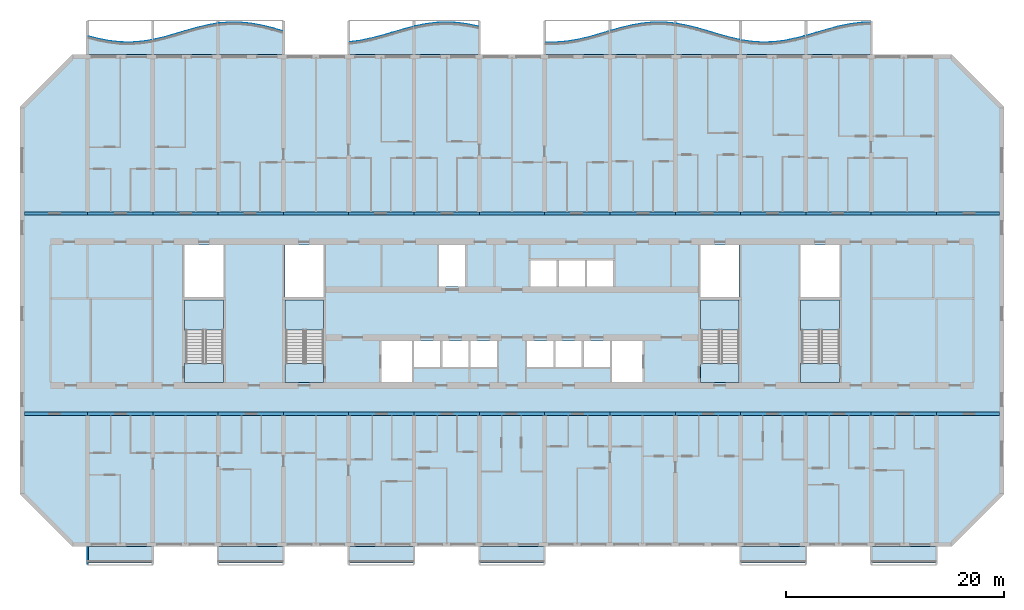
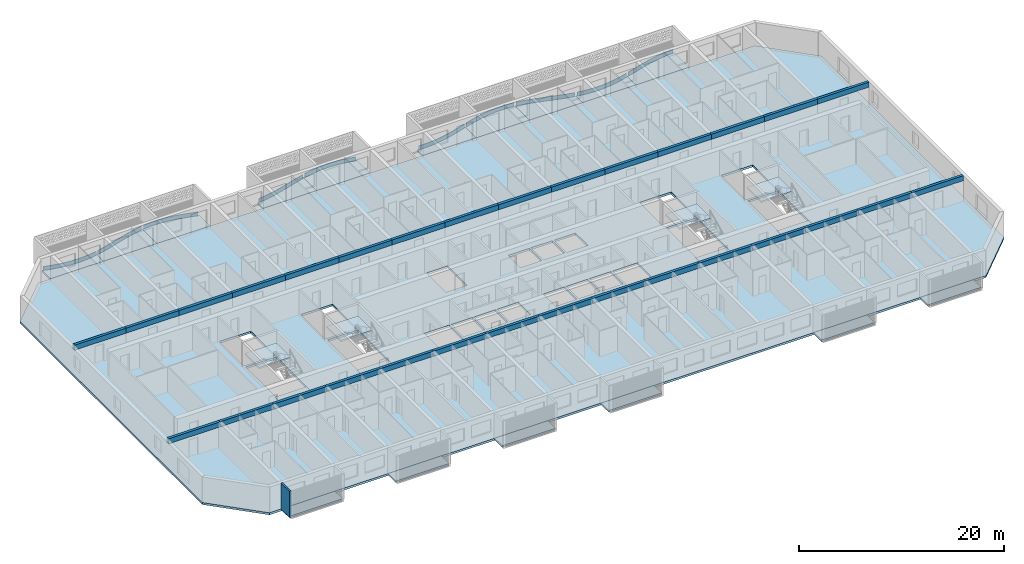
# One storey, part 1 of 39: 30 beams, 25 slabs, 10 plates, 1 wall, 4 elements without a shape of their own.
"""IFC4 building model written with IfcOpenShell, lengths in metres."""

from ifc_helpers import new_model, si_unit, direction, frame, origin, origin_2d, place, context, subcontext, project, spatial, polyline, rectangle, outline, extrude, source, transform, mapped, material, layer, layer_set, material_profile, profile_set, type_object, element, aggregate, save


model = new_model("IFC4")

# Units and contexts
model_context = context("Model", 3, precision=1e-05, world=origin(), true_north=direction((0.0, 1.0)))
body_context = subcontext(model_context, "Body", "Model", "MODEL_VIEW")
ifc_project = project(units=[si_unit("LENGTHUNIT", "METRE"), si_unit("AREAUNIT", "SQUARE_METRE"), si_unit("VOLUMEUNIT", "CUBIC_METRE"), si_unit("PLANEANGLEUNIT", "RADIAN"), si_unit("MASSUNIT", "GRAM", prefix="KILO")], contexts=[model_context])

# Site, building, storey
site_placement = place(None, origin())
site = spatial("IfcSite", under=ifc_project, at=site_placement, CompositionType="ELEMENT")
building_placement = place(site_placement, origin())
building = spatial("IfcBuilding", under=site, at=building_placement, Name="Poui Terraces", CompositionType="ELEMENT")
storey_placement = place(building_placement, frame((0.0, 0.0, 56.39990234375)))
storey = spatial("IfcBuildingStorey", under=building, at=storey_placement, Name="L15", CompositionType="ELEMENT", Elevation=56.39990234375)

# Beams
ifc_material_1 = material(Name="Concrete 80 MPa", Category="concrete")
ifc_material_profile = material_profile(ifc_material_1, rectangle(XDim=0.300048828125, YDim=0.60009765625, at=origin_2d()), Name="RC 300x600")
ifc_profile_set = profile_set([ifc_material_profile], Name="Concrete 80 MPa")
beam_type = type_object("IfcBeamType", Name="COUPLING BEAM 300x600 80MPa", PredefinedType="BEAM", material=ifc_profile_set)
shared_shape_1 = source(origin(), body_context, "Body", "SweptSolid", [
    extrude(rectangle(XDim=0.300048828125, YDim=0.60009765625, at=origin_2d()), origin(), (0.0, 0.0, 1.0), 6.0),
])
for number, where, z_axis, x_axis, name in (
    (1, (12.0, 12.0, 2.75), (1.0, 0.0, 0.0), (0.0, 1.0, 0.0), "COUPLING BEAM LINE B BAY 2"),
    (2, (18.0, 12.0, 2.75), (1.0, 0.0, 0.0), (0.0, 1.0, 0.0), "COUPLING BEAM LINE B BAY 3"),
    (3, (24.0, 12.0, 2.75), (1.0, 0.0, 0.0), (0.0, 1.0, 0.0), "COUPLING BEAM LINE B BAY 4"),
    (4, (30.0, 12.0, 2.75), (1.0, 0.0, 0.0), (0.0, 1.0, 0.0), "COUPLING BEAM LINE B BAY 5"),
    (5, (36.0, 12.0, 2.75), (1.0, 0.0, 0.0), (0.0, 1.0, 0.0), "COUPLING BEAM LINE B BAY 6"),
    (6, (42.0, 12.0, 2.75), (1.0, 0.0, 0.0), (0.0, 1.0, 0.0), "COUPLING BEAM LINE B BAY 7"),
    (7, (48.0, 12.0, 2.75), (1.0, 0.0, 0.0), (0.0, 1.0, 0.0), "COUPLING BEAM LINE B BAY 8"),
    (8, (54.0, 12.0, 2.75), (1.0, 0.0, 0.0), (0.0, 1.0, 0.0), "COUPLING BEAM LINE B BAY 9"),
    (9, (60.0, 12.0, 2.75), (1.0, 0.0, 0.0), (0.0, 1.0, 0.0), "COUPLING BEAM LINE B BAY 10"),
    (10, (66.0, 12.0, 2.75), (1.0, 0.0, 0.0), (0.0, 1.0, 0.0), "COUPLING BEAM LINE B BAY 11"),
    (11, (72.0, 12.0, 2.75), (1.0, 0.0, 0.0), (0.0, 1.0, 0.0), "COUPLING BEAM LINE B BAY 12"),
    (12, (78.0, 12.0, 2.75), (1.0, 0.0, 0.0), (0.0, 1.0, 0.0), "COUPLING BEAM LINE B BAY 13"),
    (13, (84.0, 12.0, 2.75), (1.0, 0.0, 0.0), (0.0, 1.0, 0.0), "COUPLING BEAM LINE B BAY 14"),
    (14, (12.0, 30.39990234375, 2.75), (1.0, 0.0, 0.0), (0.0, 1.0, 0.0), "COUPLING BEAM LINE E BAY 2"),
    (15, (18.0, 30.39990234375, 2.75), (1.0, 0.0, 0.0), (0.0, 1.0, 0.0), "COUPLING BEAM LINE E BAY 3"),
    (16, (24.0, 30.39990234375, 2.75), (1.0, 0.0, 0.0), (0.0, 1.0, 0.0), "COUPLING BEAM LINE E BAY 4"),
    (17, (30.0, 30.39990234375, 2.75), (1.0, 0.0, 0.0), (0.0, 1.0, 0.0), "COUPLING BEAM LINE E BAY 5"),
    (18, (36.0, 30.39990234375, 2.75), (1.0, 0.0, 0.0), (0.0, 1.0, 0.0), "COUPLING BEAM LINE E BAY 6"),
    (19, (42.0, 30.39990234375, 2.75), (1.0, 0.0, 0.0), (0.0, 1.0, 0.0), "COUPLING BEAM LINE E BAY 7"),
    (20, (48.0, 30.39990234375, 2.75), (1.0, 0.0, 0.0), (0.0, 1.0, 0.0), "COUPLING BEAM LINE E BAY 8"),
    (21, (54.0, 30.39990234375, 2.75), (1.0, 0.0, 0.0), (0.0, 1.0, 0.0), "COUPLING BEAM LINE E BAY 9"),
    (22, (60.0, 30.39990234375, 2.75), (1.0, 0.0, 0.0), (0.0, 1.0, 0.0), "COUPLING BEAM LINE E BAY 10"),
    (23, (66.0, 30.39990234375, 2.75), (1.0, 0.0, 0.0), (0.0, 1.0, 0.0), "COUPLING BEAM LINE E BAY 11"),
    (24, (72.0, 30.39990234375, 2.75), (1.0, 0.0, 0.0), (0.0, 1.0, 0.0), "COUPLING BEAM LINE E BAY 12"),
    (25, (78.0, 30.39990234375, 2.75), (1.0, 0.0, 0.0), (0.0, 1.0, 0.0), "COUPLING BEAM LINE E BAY 13"),
    (26, (84.0, 30.39990234375, 2.75), (1.0, 0.0, 0.0), (0.0, 1.0, 0.0), "COUPLING BEAM LINE E BAY 14"),
):
    element("IfcBeam", number, at=place(storey_placement, frame(where, z_axis=z_axis, x_axis=x_axis)), inside=storey, type_object=beam_type, Name=name, PredefinedType="BEAM", context=body_context, shape_type="MappedRepresentation", body=[
        mapped(shared_shape_1, transform((0.0, 0.0, 0.0))),
    ])
shared_shape_2 = source(origin(), body_context, "Body", "SweptSolid", [
    extrude(rectangle(XDim=0.300048828125, YDim=0.60009765625, at=origin_2d()), origin(), (0.0, 0.0, 1.0), 5.800048828125),
])
for number, where, z_axis, x_axis, name in (
    (27, (6.199951171875, 12.0, 2.75), (1.0, 0.0, 0.0), (0.0, 1.0, 0.0), "COUPLING BEAM LINE B BAY 1"),
    (28, (90.0, 12.0, 2.75), (1.0, 0.0, 0.0), (0.0, 1.0, 0.0), "COUPLING BEAM LINE B BAY 15"),
    (29, (6.199951171875, 30.39990234375, 2.75), (1.0, 0.0, 0.0), (0.0, 1.0, 0.0), "COUPLING BEAM LINE E BAY 1"),
    (30, (90.0, 30.39990234375, 2.75), (1.0, 0.0, 0.0), (0.0, 1.0, 0.0), "COUPLING BEAM LINE E BAY 15"),
):
    element("IfcBeam", number, at=place(storey_placement, frame(where, z_axis=z_axis, x_axis=x_axis)), inside=storey, type_object=beam_type, Name=name, PredefinedType="BEAM", context=body_context, shape_type="MappedRepresentation", body=[
        mapped(shared_shape_2, transform((0.0, 0.0, 0.0))),
    ])

# Slabs
ifc_material_2 = material(Name="Precast concrete 40 MPa", Category="concrete")
ifc_layer_1 = layer(ifc_material_2, 0.199951171875)
ifc_layer_set_1 = layer_set([ifc_layer_1], Name="Precast concrete 40 MPa")
slab_type_1 = type_object("IfcSlabType", Name="BALCONY SLAB 200", PredefinedType="FLOOR", material=ifc_layer_set_1)
slab_1_placement = place(storey_placement, frame((0.0, 0.0, -0.199951171875)))
element("IfcSlab", 31, at=slab_1_placement, inside=storey, type_object=slab_type_1, Name="BALCONY SLAB", PredefinedType="FLOOR", context=body_context, shape_type="SweptSolid", body=[
    extrude(outline(polyline([(12.0, 45.0), (18.0, 45.0), (18.0, 46.3408203125), (17.0, 46.178955078125), (16.0, 46.10400390625), (15.0, 46.1240234375), (14.0, 46.236572265625), (13.0, 46.430419921875), (12.0, 46.685302734375), (12.0, 45.0)])), origin(), (0.0, 0.0, 1.0), 0.199951171875),
])
slab_2_placement = place(storey_placement, frame((0.0, 0.0, -0.199951171875)))
element("IfcSlab", 32, at=slab_2_placement, inside=storey, type_object=slab_type_1, Name="BALCONY SLAB", PredefinedType="FLOOR", context=body_context, shape_type="SweptSolid", body=[
    extrude(outline(polyline([(18.0, 45.0), (24.0, 45.0), (24.0, 47.849609375), (23.0, 47.6748046875), (22.0, 47.4326171875), (21.0, 47.148681640625), (20.0, 46.852294921875), (19.0, 46.5732421875), (18.0, 46.3408203125), (18.0, 45.0)])), origin(), (0.0, 0.0, 1.0), 0.199951171875),
])
slab_3_placement = place(storey_placement, frame((0.0, 0.0, -0.199951171875)))
element("IfcSlab", 33, at=slab_3_placement, inside=storey, type_object=slab_type_1, Name="BALCONY SLAB", PredefinedType="FLOOR", context=body_context, shape_type="SweptSolid", body=[
    extrude(outline(polyline([(24.0, 45.0), (30.0, 45.0), (30.0, 47.124267578125), (29.0, 47.410400390625), (28.0, 47.65673828125), (27.0, 47.838134765625), (26.0, 47.935791015625), (25.0, 47.93994140625), (24.0, 47.849609375), (24.0, 45.0)])), origin(), (0.0, 0.0, 1.0), 0.199951171875),
])
slab_4_placement = place(storey_placement, frame((0.0, 0.0, -0.199951171875)))
element("IfcSlab", 34, at=slab_4_placement, inside=storey, type_object=slab_type_1, Name="BALCONY SLAB", PredefinedType="FLOOR", context=body_context, shape_type="SweptSolid", body=[
    extrude(outline(polyline([(36.0, 45.0), (42.0, 45.0), (42.0, 47.560546875), (41.0, 47.294189453125), (40.0, 47.000244140625), (39.0, 46.70849609375), (38.0, 46.44970703125), (37.0, 46.25), (36.0, 46.1298828125), (36.0, 45.0)])), origin(), (0.0, 0.0, 1.0), 0.199951171875),
])
slab_5_placement = place(storey_placement, frame((0.0, 0.0, -0.199951171875)))
element("IfcSlab", 35, at=slab_5_placement, inside=storey, type_object=slab_type_1, Name="BALCONY SLAB", PredefinedType="FLOOR", context=body_context, shape_type="SweptSolid", body=[
    extrude(outline(polyline([(42.0, 45.0), (48.0, 45.0), (48.0, 47.540283203125), (47.0, 47.757080078125), (46.0, 47.8984375), (45.0, 47.949951171875), (44.0, 47.90625), (43.0, 47.77197265625), (42.0, 47.560546875), (42.0, 45.0)])), origin(), (0.0, 0.0, 1.0), 0.199951171875),
])
slab_6_placement = place(storey_placement, frame((0.0, 0.0, -0.199951171875)))
element("IfcSlab", 36, at=slab_6_placement, inside=storey, type_object=slab_type_1, Name="BALCONY SLAB", PredefinedType="FLOOR", context=body_context, shape_type="SweptSolid", body=[
    extrude(outline(polyline([(54.0, 45.0), (60.0, 45.0), (60.0, 47.148681640625), (59.0, 46.852294921875), (58.0, 46.5732421875), (57.0, 46.3408203125), (56.0, 46.178955078125), (55.0, 46.10400390625), (54.0, 46.1240234375), (54.0, 45.0)])), origin(), (0.0, 0.0, 1.0), 0.199951171875),
])
slab_7_placement = place(storey_placement, frame((0.0, 0.0, -0.199951171875)))
element("IfcSlab", 37, at=slab_7_placement, inside=storey, type_object=slab_type_1, Name="BALCONY SLAB", PredefinedType="FLOOR", context=body_context, shape_type="SweptSolid", body=[
    extrude(outline(polyline([(60.0, 45.0), (66.0, 45.0), (66.0, 47.838134765625), (65.0, 47.935791015625), (64.0, 47.93994140625), (63.0, 47.849609375), (62.0, 47.6748046875), (61.0, 47.4326171875), (60.0, 47.148681640625), (60.0, 45.0)])), origin(), (0.0, 0.0, 1.0), 0.199951171875),
])
slab_8_placement = place(storey_placement, frame((0.0, 0.0, -0.199951171875)))
element("IfcSlab", 38, at=slab_8_placement, inside=storey, type_object=slab_type_1, Name="BALCONY SLAB", PredefinedType="FLOOR", context=body_context, shape_type="SweptSolid", body=[
    extrude(outline(polyline([(66.0, 45.0), (72.0, 45.0), (72.0, 46.324462890625), (71.0, 46.5517578125), (70.0, 46.827880859375), (69.0, 47.124267578125), (68.0, 47.410400390625), (67.0, 47.65673828125), (66.0, 47.838134765625), (66.0, 45.0)])), origin(), (0.0, 0.0, 1.0), 0.199951171875),
])
slab_9_placement = place(storey_placement, frame((0.0, 0.0, -0.199951171875)))
element("IfcSlab", 39, at=slab_9_placement, inside=storey, type_object=slab_type_1, Name="BALCONY SLAB", PredefinedType="FLOOR", context=body_context, shape_type="SweptSolid", body=[
    extrude(outline(polyline([(72.0, 45.0), (78.0, 45.0), (78.0, 46.70849609375), (77.0, 46.44970703125), (76.0, 46.25), (75.0, 46.1298828125), (74.0, 46.10205078125), (73.0, 46.169189453125), (72.0, 46.324462890625), (72.0, 45.0)])), origin(), (0.0, 0.0, 1.0), 0.199951171875),
])
slab_10_placement = place(storey_placement, frame((0.0, 0.0, -0.199951171875)))
element("IfcSlab", 40, at=slab_10_placement, inside=storey, type_object=slab_type_1, Name="BALCONY SLAB", PredefinedType="FLOOR", context=body_context, shape_type="SweptSolid", body=[
    extrude(outline(polyline([(78.0, 45.0), (84.0, 45.0), (84.0, 47.949951171875), (83.0, 47.90625), (82.0, 47.77197265625), (81.0, 47.560546875), (80.0, 47.294189453125), (79.0, 47.000244140625), (78.0, 46.70849609375), (78.0, 45.0)])), origin(), (0.0, 0.0, 1.0), 0.199951171875),
])

# Stair, slabs
stair_type = type_object("IfcStairType", Name="EXIT STAIR 1650 80 MPA", PredefinedType="HALF_TURN_STAIR", material=ifc_material_1)
stair_1_placement = place(storey_placement, origin())
stair_1 = element("IfcStair", 41, at=stair_1_placement, inside=storey, type_object=stair_type, Name="L15 CORE STAIR EAST", PredefinedType="HALF_TURN_STAIR")
ifc_layer_2 = layer(ifc_material_1, 0.199951171875)
ifc_layer_set_2 = layer_set([ifc_layer_2], Name="Concrete 80 MPa")
slab_type_2 = type_object("IfcSlabType", Name="STAIR LANDING 200 80 MPA", PredefinedType="LANDING", material=ifc_layer_set_2)
slab_11_placement = place(storey_placement, frame((0.0, 0.0, 1.449951171875)))
slab_11 = element("IfcSlab", 42, at=slab_11_placement, type_object=slab_type_2, Name="ST-CE landing 1", PredefinedType="LANDING", context=body_context, shape_type="SweptSolid", body=[
    extrude(outline(polyline([(68.324951171875, 19.679931640625), (71.875, 19.679931640625), (71.875, 22.47509765625), (68.324951171875, 22.47509765625), (68.324951171875, 19.679931640625)])), origin(), (0.0, 0.0, 1.0), 0.2001953125),
])
slab_12_placement = place(storey_placement, frame((0.0, 0.0, -0.199951171875)))
slab_12 = element("IfcSlab", 43, at=slab_12_placement, type_object=slab_type_2, Name="ST-CE landing 2", PredefinedType="LANDING", context=body_context, shape_type="SweptSolid", body=[
    extrude(outline(polyline([(68.324951171875, 14.89990234375), (71.875, 14.89990234375), (71.875, 16.60009765625), (68.324951171875, 16.60009765625), (68.324951171875, 14.89990234375)])), origin(), (0.0, 0.0, 1.0), 0.199951171875),
])
aggregate(stair_1, [slab_11, slab_12])

stair_2_placement = place(storey_placement, origin())
stair_2 = element("IfcStair", 44, at=stair_2_placement, inside=storey, type_object=stair_type, Name="L15 CORE STAIR WEST", PredefinedType="HALF_TURN_STAIR")
slab_13_placement = place(storey_placement, frame((0.0, 0.0, 1.449951171875)))
slab_13 = element("IfcSlab", 45, at=slab_13_placement, type_object=slab_type_2, Name="ST-CW landing 1", PredefinedType="LANDING", context=body_context, shape_type="SweptSolid", body=[
    extrude(outline(polyline([(30.125, 19.679931640625), (33.675048828125, 19.679931640625), (33.675048828125, 22.47509765625), (30.125, 22.47509765625), (30.125, 19.679931640625)])), origin(), (0.0, 0.0, 1.0), 0.2001953125),
])
slab_14_placement = place(storey_placement, frame((0.0, 0.0, -0.199951171875)))
slab_14 = element("IfcSlab", 46, at=slab_14_placement, type_object=slab_type_2, Name="ST-CW landing 2", PredefinedType="LANDING", context=body_context, shape_type="SweptSolid", body=[
    extrude(outline(polyline([(30.125, 14.89990234375), (33.675048828125, 14.89990234375), (33.675048828125, 16.60009765625), (30.125, 16.60009765625), (30.125, 14.89990234375)])), origin(), (0.0, 0.0, 1.0), 0.199951171875),
])
aggregate(stair_2, [slab_13, slab_14])

stair_3_placement = place(storey_placement, origin())
stair_3 = element("IfcStair", 47, at=stair_3_placement, inside=storey, type_object=stair_type, Name="L15 TIP STAIR EAST", PredefinedType="HALF_TURN_STAIR")
slab_15_placement = place(storey_placement, frame((0.0, 0.0, 1.449951171875)))
slab_15 = element("IfcSlab", 48, at=slab_15_placement, type_object=slab_type_2, Name="ST-E landing 1", PredefinedType="LANDING", context=body_context, shape_type="SweptSolid", body=[
    extrude(outline(polyline([(77.52490234375, 19.679931640625), (81.074951171875, 19.679931640625), (81.074951171875, 22.47509765625), (77.52490234375, 22.47509765625), (77.52490234375, 19.679931640625)])), origin(), (0.0, 0.0, 1.0), 0.2001953125),
])
slab_16_placement = place(storey_placement, frame((0.0, 0.0, -0.199951171875)))
slab_16 = element("IfcSlab", 49, at=slab_16_placement, type_object=slab_type_2, Name="ST-E landing 2", PredefinedType="LANDING", context=body_context, shape_type="SweptSolid", body=[
    extrude(outline(polyline([(77.52490234375, 14.89990234375), (81.074951171875, 14.89990234375), (81.074951171875, 16.60009765625), (77.52490234375, 16.60009765625), (77.52490234375, 14.89990234375)])), origin(), (0.0, 0.0, 1.0), 0.199951171875),
])
aggregate(stair_3, [slab_15, slab_16])

stair_4_placement = place(storey_placement, origin())
stair_4 = element("IfcStair", 50, at=stair_4_placement, inside=storey, type_object=stair_type, Name="L15 TIP STAIR WEST", PredefinedType="HALF_TURN_STAIR")
slab_17_placement = place(storey_placement, frame((0.0, 0.0, 1.449951171875)))
slab_17 = element("IfcSlab", 51, at=slab_17_placement, type_object=slab_type_2, Name="ST-W landing 1", PredefinedType="LANDING", context=body_context, shape_type="SweptSolid", body=[
    extrude(outline(polyline([(20.925048828125, 19.679931640625), (24.47509765625, 19.679931640625), (24.47509765625, 22.47509765625), (20.925048828125, 22.47509765625), (20.925048828125, 19.679931640625)])), origin(), (0.0, 0.0, 1.0), 0.2001953125),
])
slab_18_placement = place(storey_placement, frame((0.0, 0.0, -0.199951171875)))
slab_18 = element("IfcSlab", 52, at=slab_18_placement, type_object=slab_type_2, Name="ST-W landing 2", PredefinedType="LANDING", context=body_context, shape_type="SweptSolid", body=[
    extrude(outline(polyline([(20.925048828125, 14.89990234375), (24.47509765625, 14.89990234375), (24.47509765625, 16.60009765625), (20.925048828125, 16.60009765625), (20.925048828125, 14.89990234375)])), origin(), (0.0, 0.0, 1.0), 0.199951171875),
])
aggregate(stair_4, [slab_17, slab_18])

# Plates
ifc_layer_3 = layer(ifc_material_2, 0.080078125)
ifc_layer_set_3 = layer_set([ifc_layer_3], Name="Precast concrete 40 MPa")
plate_type = type_object("IfcPlateType", Name="SUNSHADE UPSTAND 80", PredefinedType="SHEET", material=ifc_layer_set_3)
plate_1_placement = place(storey_placement, origin())
element("IfcPlate", 53, at=plate_1_placement, inside=storey, type_object=plate_type, Name="SUNSHADE UPSTAND", PredefinedType="SHEET", context=body_context, shape_type="SweptSolid", body=[
    extrude(outline(polyline([(13.0087890625, 46.424560546875), (12.134765625, 46.644775390625), (12.115234375, 46.5673828125), (12.9912109375, 46.346435546875), (13.993896484375, 46.152099609375), (14.997314453125, 46.0390625), (16.001220703125, 46.01904296875), (17.004638671875, 46.09423828125), (17.881103515625, 46.23193359375), (17.868896484375, 46.310791015625), (16.995361328125, 46.173583984375), (15.998779296875, 46.09912109375), (15.002685546875, 46.118896484375), (14.006103515625, 46.231201171875), (13.0087890625, 46.424560546875)])), origin(), (0.0, 0.0, 1.0), 0.4501953125),
])
plate_2_placement = place(storey_placement, origin())
element("IfcPlate", 54, at=plate_2_placement, inside=storey, type_object=plate_type, Name="SUNSHADE UPSTAND", PredefinedType="SHEET", context=body_context, shape_type="SweptSolid", body=[
    extrude(outline(polyline([(18.989990234375, 46.56689453125), (18.11572265625, 46.360595703125), (18.13427734375, 46.28271484375), (19.010009765625, 46.489501953125), (20.010986328125, 46.768798828125), (21.01123046875, 47.0654296875), (22.01025390625, 47.34912109375), (23.00830078125, 47.590576171875), (23.882080078125, 47.747802734375), (23.867919921875, 47.82666015625), (22.99169921875, 47.668701171875), (21.98974609375, 47.426513671875), (20.98876953125, 47.14208984375), (19.989013671875, 46.845703125), (18.989990234375, 46.56689453125)])), origin(), (0.0, 0.0, 1.0), 0.4501953125),
])
plate_3_placement = place(storey_placement, origin())
element("IfcPlate", 55, at=plate_3_placement, inside=storey, type_object=plate_type, Name="SUNSHADE UPSTAND", PredefinedType="SHEET", context=body_context, shape_type="SweptSolid", body=[
    extrude(outline(polyline([(24.998291015625, 47.934814453125), (24.13671875, 47.862060546875), (24.12158203125, 47.860595703125), (24.12841796875, 47.781005859375), (25.001708984375, 47.85498046875), (25.998046875, 47.85107421875), (26.994384765625, 47.753662109375), (27.99169921875, 47.572509765625), (28.98974609375, 47.32666015625), (29.864013671875, 47.07763671875), (29.885986328125, 47.154541015625), (29.01025390625, 47.404052734375), (28.00830078125, 47.65087890625), (27.005615234375, 47.8330078125), (26.001953125, 47.930908203125), (24.998291015625, 47.934814453125)])), origin(), (0.0, 0.0, 1.0), 0.4501953125),
])
plate_4_placement = place(storey_placement, origin())
element("IfcPlate", 56, at=plate_4_placement, inside=storey, type_object=plate_type, Name="SUNSHADE UPSTAND", PredefinedType="SHEET", context=body_context, shape_type="SweptSolid", body=[
    extrude(outline(polyline([(36.99365234375, 46.244384765625), (36.1201171875, 46.134765625), (36.1298828125, 46.055419921875), (37.00634765625, 46.165283203125), (38.0087890625, 46.36572265625), (39.010498046875, 46.625), (40.01123046875, 46.916748046875), (41.0107421875, 47.210693359375), (41.885498046875, 47.4462890625), (41.864501953125, 47.5234375), (40.9892578125, 47.287841796875), (39.98876953125, 46.99365234375), (38.989501953125, 46.7021484375), (37.9912109375, 46.443603515625), (36.99365234375, 46.244384765625)])), origin(), (0.0, 0.0, 1.0), 0.4501953125),
])
plate_5_placement = place(storey_placement, origin())
element("IfcPlate", 57, at=plate_5_placement, inside=storey, type_object=plate_type, Name="SUNSHADE UPSTAND", PredefinedType="SHEET", context=body_context, shape_type="SweptSolid", body=[
    extrude(outline(polyline([(42.993408203125, 47.766357421875), (42.116943359375, 47.584716796875), (42.133056640625, 47.50634765625), (43.006591796875, 47.6875), (44.00341796875, 47.8212890625), (44.999755859375, 47.864990234375), (45.99609375, 47.8134765625), (46.992919921875, 47.672607421875), (47.86669921875, 47.486572265625), (47.88330078125, 47.564697265625), (47.007080078125, 47.75146484375), (46.00390625, 47.893310546875), (45.000244140625, 47.945068359375), (43.99658203125, 47.901123046875), (42.993408203125, 47.766357421875)])), origin(), (0.0, 0.0, 1.0), 0.4501953125),
])
plate_6_placement = place(storey_placement, origin())
element("IfcPlate", 58, at=plate_6_placement, inside=storey, type_object=plate_type, Name="SUNSHADE UPSTAND", PredefinedType="SHEET", context=body_context, shape_type="SweptSolid", body=[
    extrude(outline(polyline([(54.998779296875, 46.09912109375), (54.12548828125, 46.111328125), (54.12451171875, 46.03125), (55.001220703125, 46.01904296875), (56.004638671875, 46.09423828125), (57.0078125, 46.256591796875), (58.010009765625, 46.489501953125), (59.010986328125, 46.768798828125), (59.886474609375, 47.028564453125), (59.863525390625, 47.105224609375), (58.989013671875, 46.845703125), (57.989990234375, 46.567138671875), (56.9921875, 46.335205078125), (55.995361328125, 46.173583984375), (54.998779296875, 46.09912109375)])), origin(), (0.0, 0.0, 1.0), 0.4501953125),
])
plate_7_placement = place(storey_placement, origin())
element("IfcPlate", 59, at=plate_7_placement, inside=storey, type_object=plate_type, Name="SUNSHADE UPSTAND", PredefinedType="SHEET", context=body_context, shape_type="SweptSolid", body=[
    extrude(outline(polyline([(60.989990234375, 47.426513671875), (60.114013671875, 47.17919921875), (60.135986328125, 47.10205078125), (61.010009765625, 47.34912109375), (62.00830078125, 47.590576171875), (63.00537109375, 47.76513671875), (64.001708984375, 47.85498046875), (64.998046875, 47.85107421875), (65.871337890625, 47.7705078125), (65.878662109375, 47.85009765625), (65.867431640625, 47.851318359375), (65.001953125, 47.930908203125), (63.998291015625, 47.934814453125), (62.99462890625, 47.844482421875), (61.99169921875, 47.668701171875), (60.989990234375, 47.426513671875)])), origin(), (0.0, 0.0, 1.0), 0.4501953125),
])
plate_8_placement = place(storey_placement, origin())
element("IfcPlate", 60, at=plate_8_placement, inside=storey, type_object=plate_type, Name="SUNSHADE UPSTAND", PredefinedType="SHEET", context=body_context, shape_type="SweptSolid", body=[
    extrude(outline(polyline([(67.008544921875, 47.65087890625), (66.13232421875, 47.814208984375), (66.11767578125, 47.735595703125), (66.991455078125, 47.572509765625), (67.98974609375, 47.32666015625), (68.98876953125, 47.040771484375), (69.989013671875, 46.744384765625), (70.990234375, 46.468017578125), (71.865966796875, 46.265380859375), (71.884033203125, 46.34326171875), (71.009765625, 46.545654296875), (70.010986328125, 46.8212890625), (69.01123046875, 47.11767578125), (68.01025390625, 47.40380859375), (67.008544921875, 47.65087890625)])), origin(), (0.0, 0.0, 1.0), 0.4501953125),
])
plate_9_placement = place(storey_placement, origin())
element("IfcPlate", 61, at=plate_9_placement, inside=storey, type_object=plate_type, Name="SUNSHADE UPSTAND", PredefinedType="SHEET", context=body_context, shape_type="SweptSolid", body=[
    extrude(outline(polyline([(73.00439453125, 46.1640625), (72.130859375, 46.29541015625), (72.119140625, 46.216064453125), (72.99560546875, 46.08447265625), (73.999267578125, 46.01708984375), (75.0029296875, 46.044921875), (76.00634765625, 46.165283203125), (77.0087890625, 46.365478515625), (77.885009765625, 46.590087890625), (77.864990234375, 46.66748046875), (76.9912109375, 46.443603515625), (75.99365234375, 46.244384765625), (74.9970703125, 46.125), (74.000732421875, 46.09716796875), (73.00439453125, 46.1640625)])), origin(), (0.0, 0.0, 1.0), 0.4501953125),
])
plate_10_placement = place(storey_placement, origin())
element("IfcPlate", 62, at=plate_10_placement, inside=storey, type_object=plate_type, Name="SUNSHADE UPSTAND", PredefinedType="SHEET", context=body_context, shape_type="SweptSolid", body=[
    extrude(outline(polyline([(78.98876953125, 46.993408203125), (78.11376953125, 46.7373046875), (78.13623046875, 46.660400390625), (79.01123046875, 46.916748046875), (80.0107421875, 47.210693359375), (81.00927734375, 47.476806640625), (82.0068359375, 47.6875), (83.003662109375, 47.8212890625), (83.876953125, 47.86474609375), (83.873046875, 47.9443359375), (83.831787109375, 47.942626953125), (82.996337890625, 47.901123046875), (81.9931640625, 47.766357421875), (80.99072265625, 47.5546875), (79.9892578125, 47.287841796875), (78.98876953125, 46.993408203125)])), origin(), (0.0, 0.0, 1.0), 0.4501953125),
])

# Slabs
ifc_material_3 = material(Name="Concrete 40 MPa", Category="concrete")
ifc_layer_4 = layer(ifc_material_3, 0.25)
ifc_layer_set_4 = layer_set([ifc_layer_4], Name="Concrete 40 MPa")
slab_type_3 = type_object("IfcSlabType", Name="FLOOR SLAB 250", PredefinedType="FLOOR", material=ifc_layer_set_4)
shared_shape_3 = source(origin(), body_context, "Body", "SweptSolid", [
    extrude(outline(polyline([(0.0, 0.0), (4.800048828125, -4.800048828125), (85.599853515625, -4.800048828125), (90.39990234375, 0.0), (90.39990234375, 35.599853515625), (85.599853515625, 40.39990234375), (4.800048828125, 40.39990234375), (0.0, 35.599853515625), (0.0, 0.0)]), holes=[polyline([(33.199951171875, 10.2998046875), (33.199951171875, 14.099853515625), (36.0, 14.099853515625), (36.0, 10.2998046875), (33.199951171875, 10.2998046875)]), polyline([(36.199951171875, 11.699951171875), (36.199951171875, 14.099853515625), (38.599853515625, 14.099853515625), (38.599853515625, 11.699951171875), (36.199951171875, 11.699951171875)]), polyline([(38.800048828125, 11.699951171875), (38.800048828125, 14.099853515625), (41.199951171875, 14.099853515625), (41.199951171875, 11.699951171875), (38.800048828125, 11.699951171875)]), polyline([(41.39990234375, 14.099853515625), (43.800048828125, 14.099853515625), (43.800048828125, 11.699951171875), (41.39990234375, 11.699951171875), (41.39990234375, 14.099853515625)]), polyline([(46.599853515625, 14.099853515625), (49.0, 14.099853515625), (49.0, 11.699951171875), (46.599853515625, 11.699951171875), (46.599853515625, 14.099853515625)]), polyline([(15.224853515625, 17.849853515625), (18.675048828125, 17.849853515625), (18.675048828125, 12.0), (18.675048828125, 10.2998046875), (15.125, 10.2998046875), (15.125, 12.0), (15.224853515625, 12.0), (15.224853515625, 17.849853515625)]), polyline([(24.425048828125, 17.849853515625), (27.875, 17.849853515625), (27.875, 12.0), (27.875, 10.2998046875), (24.324951171875, 10.2998046875), (24.324951171875, 12.0), (24.425048828125, 12.0), (24.425048828125, 17.849853515625)]), polyline([(15.125, 18.125), (15.125, 22.89990234375), (18.675048828125, 22.89990234375), (18.675048828125, 18.125), (15.125, 18.125)]), polyline([(24.324951171875, 22.89990234375), (27.875, 22.89990234375), (27.875, 18.125), (24.324951171875, 18.125), (24.324951171875, 22.89990234375)]), polyline([(38.5, 22.89990234375), (40.89990234375, 22.89990234375), (40.89990234375, 19.099853515625), (38.5, 19.099853515625), (38.5, 22.89990234375)]), polyline([(54.39990234375, 10.2998046875), (54.39990234375, 14.099853515625), (57.199951171875, 14.099853515625), (57.199951171875, 10.2998046875), (54.39990234375, 10.2998046875)]), polyline([(49.199951171875, 11.699951171875), (49.199951171875, 14.099853515625), (51.599853515625, 14.099853515625), (51.599853515625, 11.699951171875), (49.199951171875, 11.699951171875)]), polyline([(51.800048828125, 11.699951171875), (51.800048828125, 14.099853515625), (54.199951171875, 14.099853515625), (54.199951171875, 11.699951171875), (51.800048828125, 11.699951171875)]), polyline([(66.074951171875, 17.849853515625), (66.074951171875, 12.0), (66.074951171875, 10.2998046875), (62.52490234375, 10.2998046875), (62.52490234375, 12.0), (62.625, 12.0), (62.625, 17.849853515625), (66.074951171875, 17.849853515625)]), polyline([(75.27490234375, 17.849853515625), (75.27490234375, 12.0), (75.27490234375, 10.2998046875), (71.724853515625, 10.2998046875), (71.724853515625, 12.0), (71.824951171875, 12.0), (71.824951171875, 17.849853515625), (75.27490234375, 17.849853515625)]), polyline([(46.89990234375, 19.099853515625), (46.89990234375, 21.5), (49.300048828125, 21.5), (49.300048828125, 19.099853515625), (46.89990234375, 19.099853515625)]), polyline([(49.5, 19.099853515625), (49.5, 21.5), (51.89990234375, 21.5), (51.89990234375, 19.099853515625), (49.5, 19.099853515625)]), polyline([(52.099853515625, 19.099853515625), (52.099853515625, 21.5), (54.5, 21.5), (54.5, 19.099853515625), (52.099853515625, 19.099853515625)]), polyline([(62.52490234375, 22.89990234375), (66.074951171875, 22.89990234375), (66.074951171875, 18.125), (62.52490234375, 18.125), (62.52490234375, 22.89990234375)]), polyline([(71.724853515625, 22.89990234375), (75.27490234375, 22.89990234375), (75.27490234375, 18.125), (71.724853515625, 18.125), (71.724853515625, 22.89990234375)])]), origin(), (0.0, 0.0, 1.0), 0.25),
])
slab_19_placement = place(storey_placement, frame((5.800048828125, 4.60009765625, -0.25)))
element("IfcSlab", 63, at=slab_19_placement, inside=storey, type_object=slab_type_3, Name="FLOOR SLAB", PredefinedType="FLOOR", context=body_context, shape_type="MappedRepresentation", body=[
    mapped(shared_shape_3, transform((0.0, 0.0, 0.0))),
])
ifc_layer_5 = layer(ifc_material_2, 0.199951171875)
ifc_layer_set_5 = layer_set([ifc_layer_5], Name="Precast concrete 40 MPa")
slab_type_4 = type_object("IfcSlabType", Name="REAR BALCONY SLAB 200", PredefinedType="FLOOR", material=ifc_layer_set_5)
shared_shape_4 = source(origin(), body_context, "Body", "SweptSolid", [
    extrude(outline(polyline([(0.0, 0.0), (6.0, 0.0), (6.0, 1.5), (0.0, 1.5), (0.0, 0.0)])), origin(), (0.0, 0.0, 1.0), 0.199951171875),
])
for number, where, name in (
    (64, (12.0, -1.699951171875, -0.199951171875), "REAR BALCONY SLAB"),
    (65, (24.0, -1.699951171875, -0.199951171875), "REAR BALCONY SLAB"),
    (66, (36.0, -1.699951171875, -0.199951171875), "REAR BALCONY SLAB"),
    (67, (48.0, -1.699951171875, -0.199951171875), "REAR BALCONY SLAB"),
    (68, (72.0, -1.699951171875, -0.199951171875), "REAR BALCONY SLAB"),
    (69, (84.0, -1.699951171875, -0.199951171875), "REAR BALCONY SLAB"),
):
    element("IfcSlab", number, at=place(storey_placement, frame(where)), inside=storey, type_object=slab_type_4, Name=name, PredefinedType="FLOOR", context=body_context, shape_type="MappedRepresentation", body=[
        mapped(shared_shape_4, transform((0.0, 0.0, 0.0))),
    ])

# Wall
ifc_layer_6 = layer(ifc_material_2, 0.199951171875)
ifc_layer_set_6 = layer_set([ifc_layer_6], Name="Precast concrete 40 MPa")
wall_type = type_object("IfcWallType", Name="REAR FIN 200", PredefinedType="STANDARD", material=ifc_layer_set_6)
shared_shape_5 = source(origin(), body_context, "Body", "SweptSolid", [
    extrude(outline(polyline([(0.0, 0.0), (0.2001953125, 0.0), (0.2001953125, 1.650146484375), (0.0, 1.650146484375), (0.0, 0.0)])), origin(), (0.0, 0.0, 1.0), 3.10009765625),
])
wall_placement = place(storey_placement, frame((11.89990234375, -1.85009765625, 0.0)))
element("IfcWall", 70, at=wall_placement, inside=storey, type_object=wall_type, Name="REAR FIN", PredefinedType="STANDARD", context=body_context, shape_type="MappedRepresentation", body=[
    mapped(shared_shape_5, transform((0.0, 0.0, 0.0))),
])

save(model, "model.ifc")
